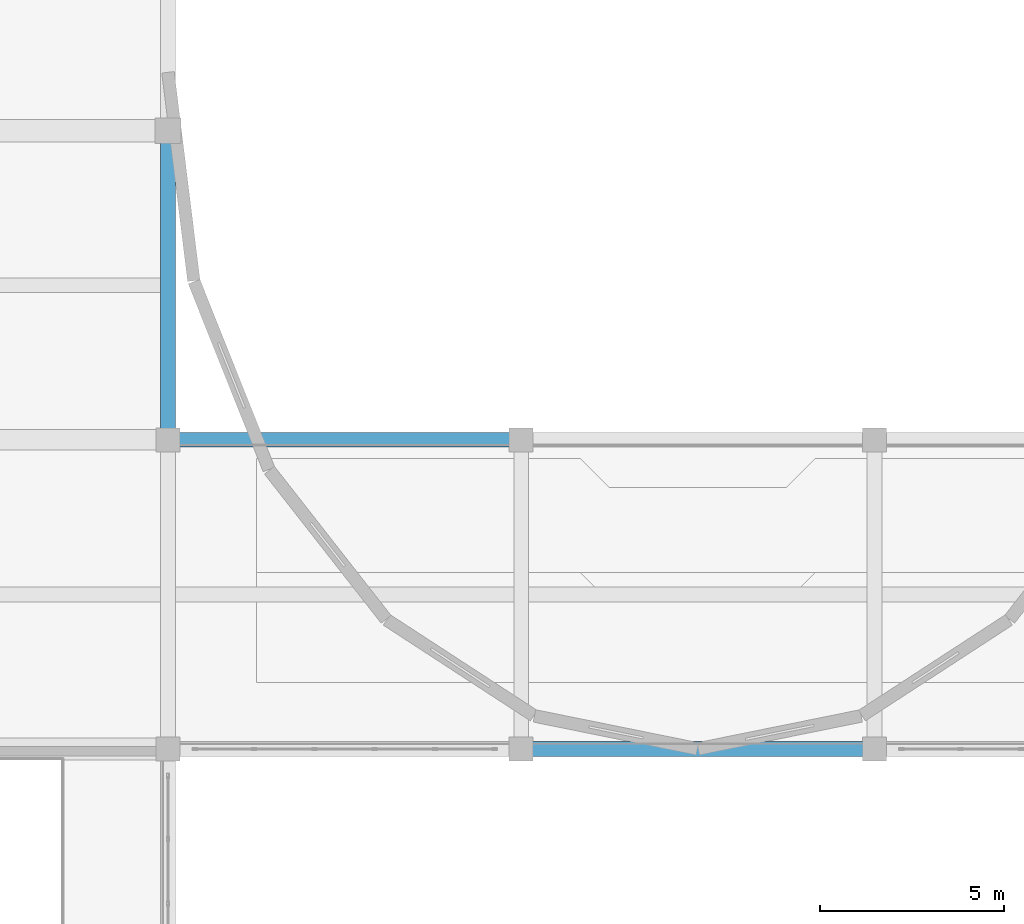
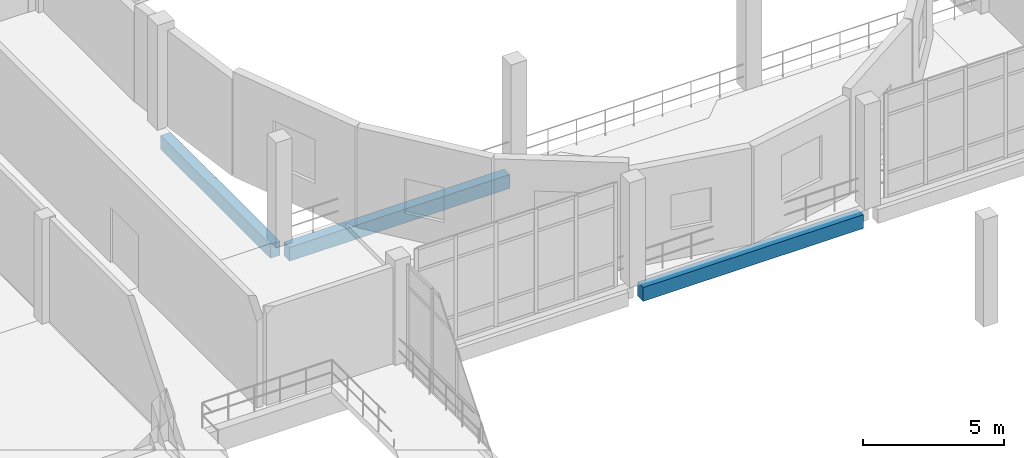
# One storey, part 35 of 88: 3 beams.
"""IFC4 building model written with IfcOpenShell, lengths in metres."""

from ifc_helpers import new_model, si_unit, direction, frame, origin, origin_2d, place, context, subcontext, project, spatial, rectangle, extrude, material, material_profile, profile_set, type_object, element, save


model = new_model("IFC4")

# Units and contexts
model_context = context("Model", 3, precision=1e-05, world=origin(), true_north=direction((0.0, 1.0)))
body_context = subcontext(model_context, "Body", "Model", "MODEL_VIEW")
ifc_project = project(units=[si_unit("LENGTHUNIT", "METRE"), si_unit("AREAUNIT", "SQUARE_METRE"), si_unit("VOLUMEUNIT", "CUBIC_METRE"), si_unit("PLANEANGLEUNIT", "RADIAN"), si_unit("MASSUNIT", "GRAM", prefix="KILO")], contexts=[model_context])

# Site, building, storey
site_placement = place(None, origin())
site = spatial("IfcSite", under=ifc_project, at=site_placement, CompositionType="ELEMENT")
building_placement = place(site_placement, origin())
building = spatial("IfcBuilding", under=site, at=building_placement, Name="Lornevale Opera House", CompositionType="ELEMENT")
storey_placement = place(building_placement, frame((0.0, 0.0, 10.199951171875)))
storey = spatial("IfcBuildingStorey", under=building, at=storey_placement, Name="L03", CompositionType="ELEMENT", Elevation=10.199951171875)

# Beams
ifc_material = material(Name="Concrete 35 MPa (CSA A23.1 N)", Category="concrete")
ifc_material_profile = material_profile(ifc_material, rectangle(XDim=0.39990234375, YDim=0.60009765625, at=origin_2d()), Name="RC400x600")
ifc_profile_set = profile_set([ifc_material_profile], Name="Concrete 35 MPa (CSA A23.1 N)")
beam_type = type_object("IfcBeamType", Name="Concrete Spandrel Beam 400x600", PredefinedType="SPANDREL", material=ifc_profile_set)
for number, where, z_axis, x_axis, name in (
    (1, (77.10009765625, 33.60009765625, -0.579833984375), (1.0, 0.0, 0.0), (0.0, 1.0, 0.0), "Concrete Spandrel Beam 400x600 2122"),
    (2, (67.5, 42.0, -0.579833984375), (1.0, 0.0, 0.0), (0.0, 1.0, 0.0), "Concrete Spandrel Beam 400x600 2134"),
):
    element("IfcBeam", number, at=place(storey_placement, frame(where, z_axis=z_axis, x_axis=x_axis)), inside=storey, type_object=beam_type, Name=name, PredefinedType="SPANDREL", context=body_context, shape_type="SweptSolid", body=[
        extrude(rectangle(XDim=0.39990234375, YDim=0.60009765625, at=origin_2d()), origin(), (0.0, 0.0, 1.0), 9.0),
    ])
beam_placement = place(storey_placement, frame((67.199951171875, 42.300048828125, -0.579833984375), z_axis=(0.0, 1.0, 0.0), x_axis=(-1.0, 0.0, 0.0)))
element("IfcBeam", 3, at=beam_placement, inside=storey, type_object=beam_type, Name="Concrete Spandrel Beam 400x600 2291", PredefinedType="SPANDREL", context=body_context, shape_type="SweptSolid", body=[
    extrude(rectangle(XDim=0.39990234375, YDim=0.60009765625, at=origin_2d()), origin(), (0.0, 0.0, 1.0), 7.77490234375),
])

save(model, "model.ifc")
